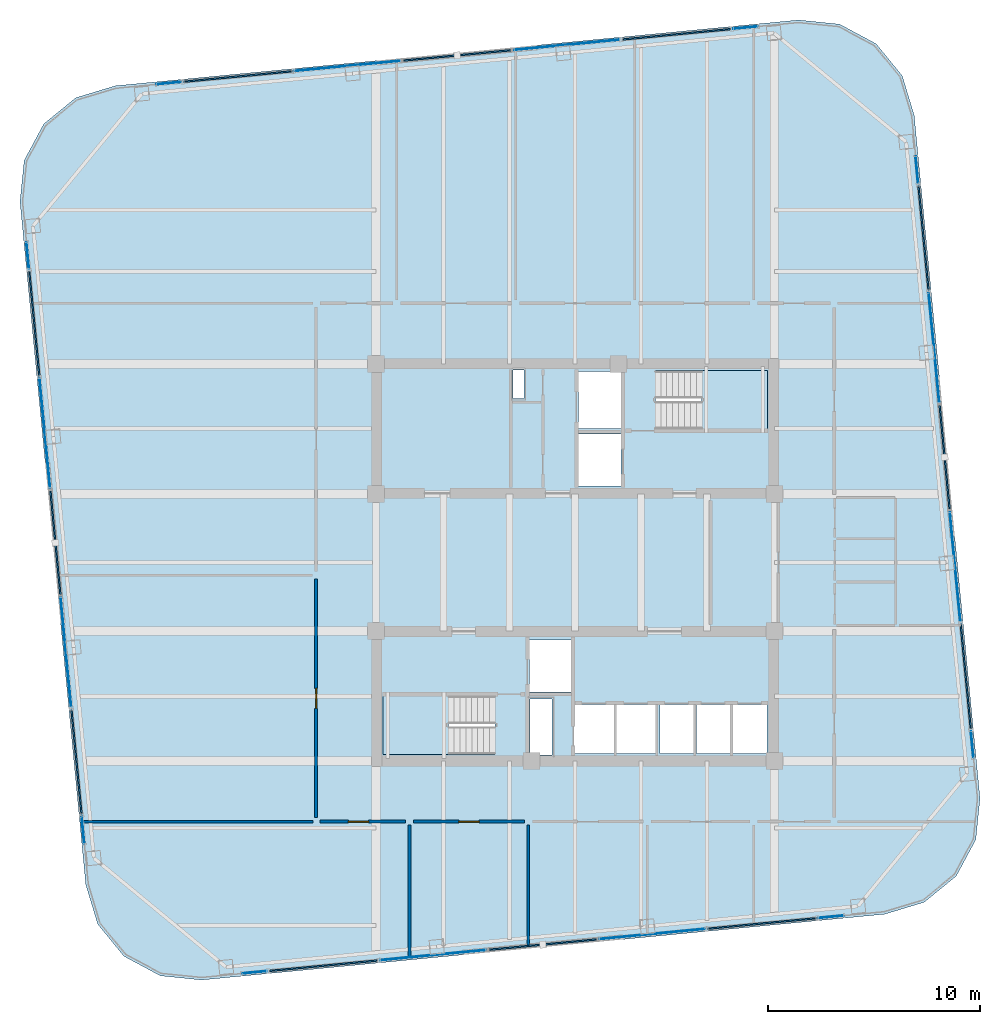
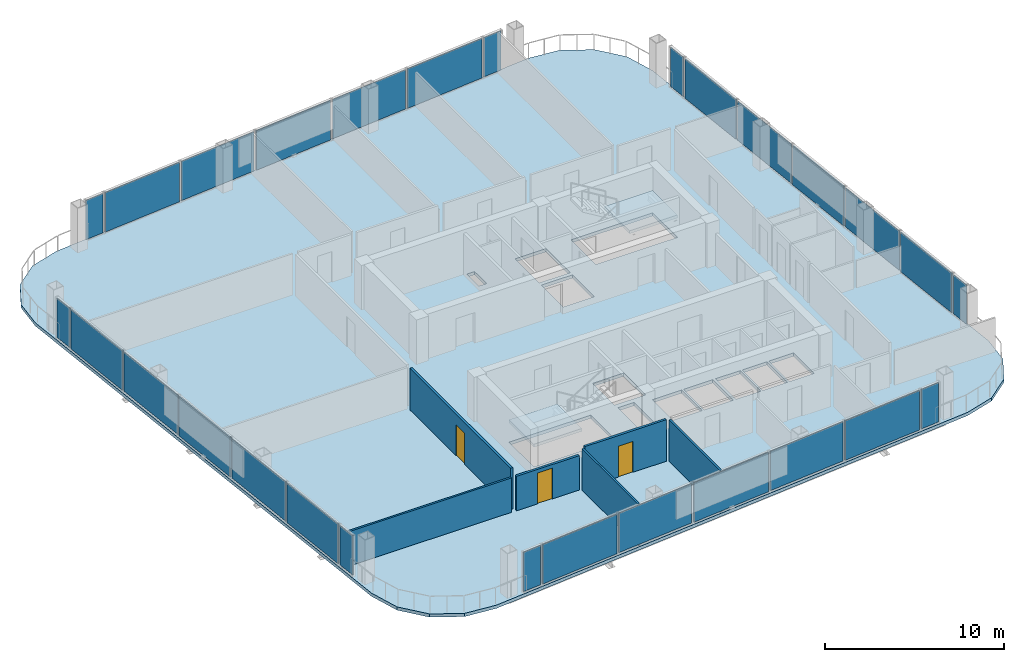
# One storey, part 16 of 22: 28 plates, 6 walls, 3 doors, 3 slabs, 3 openings, 30 elements without a shape of their own.
"""IFC4 building model written with IfcOpenShell, lengths in metres."""

from ifc_helpers import new_model, si_unit, direction, frame, frame_2d, origin, origin_2d, place, context, subcontext, project, spatial, polyline, rectangle, outline, extrude, material, layer, layer_set, type_object, element, fill, aggregate, save


model = new_model("IFC4")

# Units and contexts
model_context = context("Model", 3, precision=1e-05, world=origin(), true_north=direction((0.0, 1.0)))
body_context = subcontext(model_context, "Body", "Model", "MODEL_VIEW")
ifc_project = project(units=[si_unit("LENGTHUNIT", "METRE"), si_unit("AREAUNIT", "SQUARE_METRE"), si_unit("VOLUMEUNIT", "CUBIC_METRE"), si_unit("PLANEANGLEUNIT", "RADIAN"), si_unit("MASSUNIT", "GRAM", prefix="KILO")], contexts=[model_context])

# Site, building, storey
site_placement = place(None, origin())
site = spatial("IfcSite", under=ifc_project, at=site_placement, CompositionType="ELEMENT")
building_placement = place(site_placement, origin())
building = spatial("IfcBuilding", under=site, at=building_placement, Name="Qhalaya Broadcast Tower", CompositionType="ELEMENT")
storey_placement = place(building_placement, frame((0.0, 0.0, 165.300048828125)))
storey = spatial("IfcBuildingStorey", under=building, at=storey_placement, Name="L48", CompositionType="ELEMENT", Elevation=165.300048828125)

# Curtain wall, plate
ifc_material_1 = material(Name="Fired Architectural Terracotta", Category="masonry")
ifc_layer_1 = layer(ifc_material_1, 0.219970703125, Name="Fired Architectural Terracotta")
ifc_layer_set_1 = layer_set([ifc_layer_1], Name="Fired Architectural Terracotta")
curtain_wall_type_1 = type_object("IfcCurtainWallType", Name="Block-Cap Unitised Terracotta Spandrel Wall CW-07", PredefinedType="NOTDEFINED", material=ifc_layer_set_1)
curtain_wall_1_placement = place(storey_placement, origin())
curtain_wall_1 = element("IfcCurtainWall", 1, at=curtain_wall_1_placement, inside=storey, type_object=curtain_wall_type_1, Name="L48 Unitised Curtain Wall L48-CW-S2", PredefinedType="NOTDEFINED")
ifc_layer_2 = layer(ifc_material_1, 0.080078125, Name="Fired Architectural Terracotta")
ifc_layer_set_2 = layer_set([ifc_layer_2], Name="Fired Architectural Terracotta")
plate_type_1 = type_object("IfcPlateType", Name="Insulated Terracotta Spandrel Panel TSP-07", PredefinedType="CURTAIN_PANEL", material=ifc_layer_set_2)
plate_1_placement = place(storey_placement, frame((-11.84375, -18.386962890625, 0.0751953125), z_axis=(0.0, 0.0, 1.0), x_axis=(0.995395267059, 0.095855424032, 0.0)))
plate_1 = element("IfcPlate", 2, at=plate_1_placement, type_object=plate_type_1, Name="CW-07 panel 1.1", PredefinedType="CURTAIN_PANEL", context=body_context, shape_type="SweptSolid", body=[
    extrude(rectangle(XDim=5.0859375, YDim=0.080078125, at=origin_2d()), origin(), (0.0, 0.0, 1.0), 2.679931640625),
])
aggregate(curtain_wall_1, [plate_1])

curtain_wall_2_placement = place(storey_placement, origin())
curtain_wall_2 = element("IfcCurtainWall", 3, at=curtain_wall_2_placement, inside=storey, type_object=curtain_wall_type_1, Name="L48 Unitised Curtain Wall L48-CW-S4", PredefinedType="NOTDEFINED")
plate_2_placement = place(storey_placement, frame((-1.5244140625, -17.393310546875, 0.0751953125), z_axis=(0.0, 0.0, 1.0), x_axis=(0.995397089148, 0.095836500956, 0.0)))
plate_2 = element("IfcPlate", 4, at=plate_2_placement, type_object=plate_type_1, Name="CW-07 panel 1.1", PredefinedType="CURTAIN_PANEL", context=body_context, shape_type="SweptSolid", body=[
    extrude(rectangle(XDim=5.0859375, YDim=0.080078125, at=origin_2d()), origin(), (0.0, 0.0, 1.0), 2.679931640625),
])
aggregate(curtain_wall_2, [plate_2])

curtain_wall_3_placement = place(storey_placement, origin())
curtain_wall_3 = element("IfcCurtainWall", 5, at=curtain_wall_3_placement, inside=storey, type_object=curtain_wall_type_1, Name="L48 Unitised Curtain Wall L48-CW-S6", PredefinedType="NOTDEFINED")
plate_3_placement = place(storey_placement, frame((8.794921875, -16.399658203125, 0.0751953125), z_axis=(0.0, 0.0, 1.0), x_axis=(0.995395267059, 0.095855424032, 0.0)))
plate_3 = element("IfcPlate", 6, at=plate_3_placement, type_object=plate_type_1, Name="CW-07 panel 1.1", PredefinedType="CURTAIN_PANEL", context=body_context, shape_type="SweptSolid", body=[
    extrude(rectangle(XDim=5.0859375, YDim=0.080078125, at=origin_2d()), origin(), (0.0, 0.0, 1.0), 2.679931640625),
])
aggregate(curtain_wall_3, [plate_3])

curtain_wall_4_placement = place(storey_placement, origin())
curtain_wall_4 = element("IfcCurtainWall", 7, at=curtain_wall_4_placement, inside=storey, type_object=curtain_wall_type_1, Name="L48 Unitised Curtain Wall L48-CW-E2", PredefinedType="NOTDEFINED")
plate_4_placement = place(storey_placement, frame((18.38671875, -4.763671875, 0.0751953125), z_axis=(0.0, 0.0, 1.0), x_axis=(-0.09584506238, 0.99539626482, 0.0)))
plate_4 = element("IfcPlate", 8, at=plate_4_placement, type_object=plate_type_1, Name="CW-07 panel 1.1", PredefinedType="CURTAIN_PANEL", context=body_context, shape_type="SweptSolid", body=[
    extrude(rectangle(XDim=4.906005859375, YDim=0.080078125, at=origin_2d()), origin(), (0.0, 0.0, 1.0), 2.679931640625),
])
aggregate(curtain_wall_4, [plate_4])

curtain_wall_5_placement = place(storey_placement, origin())
curtain_wall_5 = element("IfcCurtainWall", 9, at=curtain_wall_5_placement, inside=storey, type_object=curtain_wall_type_1, Name="L48 Unitised Curtain Wall L48-CW-E4", PredefinedType="NOTDEFINED")
plate_5_placement = place(storey_placement, frame((17.393310546875, 5.5556640625, 0.0751953125), z_axis=(0.0, 0.0, 1.0), x_axis=(-0.095846949325, 0.995396083127, 0.0)))
plate_5 = element("IfcPlate", 10, at=plate_5_placement, type_object=plate_type_1, Name="CW-07 panel 1.1", PredefinedType="CURTAIN_PANEL", context=body_context, shape_type="SweptSolid", body=[
    extrude(rectangle(XDim=4.906005859375, YDim=0.080078125, at=origin_2d()), origin(), (0.0, 0.0, 1.0), 2.679931640625),
])
aggregate(curtain_wall_5, [plate_5])

curtain_wall_6_placement = place(storey_placement, origin())
curtain_wall_6 = element("IfcCurtainWall", 11, at=curtain_wall_6_placement, inside=storey, type_object=curtain_wall_type_1, Name="L48 Unitised Curtain Wall L48-CW-E6", PredefinedType="NOTDEFINED")
plate_6_placement = place(storey_placement, frame((16.399658203125, 15.875, 0.0751953125), z_axis=(0.0, 0.0, 1.0), x_axis=(-0.095846949325, 0.995396083127, 0.0)))
plate_6 = element("IfcPlate", 12, at=plate_6_placement, type_object=plate_type_1, Name="CW-07 panel 1.1", PredefinedType="CURTAIN_PANEL", context=body_context, shape_type="SweptSolid", body=[
    extrude(rectangle(XDim=4.906005859375, YDim=0.080078125, at=origin_2d()), origin(), (0.0, 0.0, 1.0), 2.679931640625),
])
aggregate(curtain_wall_6, [plate_6])

curtain_wall_7_placement = place(storey_placement, origin())
curtain_wall_7 = element("IfcCurtainWall", 13, at=curtain_wall_7_placement, inside=storey, type_object=curtain_wall_type_1, Name="L48 Unitised Curtain Wall L48-CW-N2", PredefinedType="NOTDEFINED")
plate_7_placement = place(storey_placement, frame((4.763671875, 25.466796875, 0.0751953125), z_axis=(0.0, 0.0, 1.0), x_axis=(-0.995395267059, -0.095855424032, 0.0)))
plate_7 = element("IfcPlate", 14, at=plate_7_placement, type_object=plate_type_1, Name="CW-07 panel 1.1", PredefinedType="CURTAIN_PANEL", context=body_context, shape_type="SweptSolid", body=[
    extrude(rectangle(XDim=5.0859375, YDim=0.080078125, at=origin_2d()), origin(), (0.0, 0.0, 1.0), 2.679931640625),
])
aggregate(curtain_wall_7, [plate_7])

curtain_wall_8_placement = place(storey_placement, origin())
curtain_wall_8 = element("IfcCurtainWall", 15, at=curtain_wall_8_placement, inside=storey, type_object=curtain_wall_type_1, Name="L48 Unitised Curtain Wall L48-CW-N4", PredefinedType="NOTDEFINED")
plate_8_placement = place(storey_placement, frame((-5.5556640625, 24.47314453125, 0.0751953125), z_axis=(0.0, 0.0, 1.0), x_axis=(-0.995397089148, -0.095836500956, 0.0)))
plate_8 = element("IfcPlate", 16, at=plate_8_placement, type_object=plate_type_1, Name="CW-07 panel 1.1", PredefinedType="CURTAIN_PANEL", context=body_context, shape_type="SweptSolid", body=[
    extrude(rectangle(XDim=5.0859375, YDim=0.080078125, at=origin_2d()), origin(), (0.0, 0.0, 1.0), 2.679931640625),
])
aggregate(curtain_wall_8, [plate_8])

curtain_wall_9_placement = place(storey_placement, origin())
curtain_wall_9 = element("IfcCurtainWall", 17, at=curtain_wall_9_placement, inside=storey, type_object=curtain_wall_type_1, Name="L48 Unitised Curtain Wall L48-CW-N6", PredefinedType="NOTDEFINED")
plate_9_placement = place(storey_placement, frame((-15.875, 23.4794921875, 0.0751953125), z_axis=(0.0, 0.0, 1.0), x_axis=(-0.995395267059, -0.095855424032, 0.0)))
plate_9 = element("IfcPlate", 18, at=plate_9_placement, type_object=plate_type_1, Name="CW-07 panel 1.1", PredefinedType="CURTAIN_PANEL", context=body_context, shape_type="SweptSolid", body=[
    extrude(rectangle(XDim=5.0859375, YDim=0.080078125, at=origin_2d()), origin(), (0.0, 0.0, 1.0), 2.679931640625),
])
aggregate(curtain_wall_9, [plate_9])

curtain_wall_10_placement = place(storey_placement, origin())
curtain_wall_10 = element("IfcCurtainWall", 19, at=curtain_wall_10_placement, inside=storey, type_object=curtain_wall_type_1, Name="L48 Unitised Curtain Wall L48-CW-W2", PredefinedType="NOTDEFINED")
plate_10_placement = place(storey_placement, frame((-25.466796875, 11.843505859375, 0.0751953125), z_axis=(0.0, 0.0, 1.0), x_axis=(0.09584506238, -0.99539626482, 0.0)))
plate_10 = element("IfcPlate", 20, at=plate_10_placement, type_object=plate_type_1, Name="CW-07 panel 1.1", PredefinedType="CURTAIN_PANEL", context=body_context, shape_type="SweptSolid", body=[
    extrude(rectangle(XDim=4.906005859375, YDim=0.080078125, at=origin_2d()), origin(), (0.0, 0.0, 1.0), 2.679931640625),
])
aggregate(curtain_wall_10, [plate_10])

curtain_wall_11_placement = place(storey_placement, origin())
curtain_wall_11 = element("IfcCurtainWall", 21, at=curtain_wall_11_placement, inside=storey, type_object=curtain_wall_type_1, Name="L48 Unitised Curtain Wall L48-CW-W4", PredefinedType="NOTDEFINED")
plate_11_placement = place(storey_placement, frame((-24.47314453125, 1.5244140625, 0.0751953125), z_axis=(0.0, 0.0, 1.0), x_axis=(0.095846949325, -0.995396083127, 0.0)))
plate_11 = element("IfcPlate", 22, at=plate_11_placement, type_object=plate_type_1, Name="CW-07 panel 1.1", PredefinedType="CURTAIN_PANEL", context=body_context, shape_type="SweptSolid", body=[
    extrude(rectangle(XDim=4.906005859375, YDim=0.080078125, at=origin_2d()), origin(), (0.0, 0.0, 1.0), 2.679931640625),
])
aggregate(curtain_wall_11, [plate_11])

curtain_wall_12_placement = place(storey_placement, origin())
curtain_wall_12 = element("IfcCurtainWall", 23, at=curtain_wall_12_placement, inside=storey, type_object=curtain_wall_type_1, Name="L48 Unitised Curtain Wall L48-CW-W6", PredefinedType="NOTDEFINED")
plate_12_placement = place(storey_placement, frame((-23.4794921875, -8.794921875, 0.0751953125), z_axis=(0.0, 0.0, 1.0), x_axis=(0.095846949325, -0.995396083127, 0.0)))
plate_12 = element("IfcPlate", 24, at=plate_12_placement, type_object=plate_type_1, Name="CW-07 panel 1.1", PredefinedType="CURTAIN_PANEL", context=body_context, shape_type="SweptSolid", body=[
    extrude(rectangle(XDim=4.906005859375, YDim=0.080078125, at=origin_2d()), origin(), (0.0, 0.0, 1.0), 2.679931640625),
])
aggregate(curtain_wall_12, [plate_12])

ifc_material_2 = material(Name="Solar-Control Low-E Triple Glazing", Category="glass")
ifc_layer_3 = layer(ifc_material_2, 0.219970703125, Name="Solar-Control Low-E Triple Glazing")
ifc_layer_set_3 = layer_set([ifc_layer_3], Name="Solar-Control Low-E Triple Glazing")
curtain_wall_type_2 = type_object("IfcCurtainWallType", Name="Even-Block 4-Storey Double-Module Curtain Wall CW-03", PredefinedType="NOTDEFINED", material=ifc_layer_set_3)
curtain_wall_13_placement = place(storey_placement, origin())
curtain_wall_13 = element("IfcCurtainWall", 25, at=curtain_wall_13_placement, inside=storey, type_object=curtain_wall_type_2, Name="L48 Unitised Curtain Wall L48-CW-S1", PredefinedType="NOTDEFINED")
ifc_layer_4 = layer(ifc_material_2, 0.035888671875, Name="Solar-Control Low-E Triple Glazing")
ifc_layer_set_4 = layer_set([ifc_layer_4], Name="Solar-Control Low-E Triple Glazing")
plate_type_2 = type_object("IfcPlateType", Name="Solar-Control Curtain Glazing Panel GLP-03", PredefinedType="CURTAIN_PANEL", material=ifc_layer_set_4)
plate_13_placement = place(storey_placement, frame((-15.10400390625, -18.70068359375, 0.0751953125), z_axis=(0.0, 0.0, 1.0), x_axis=(0.99539857312, 0.095821086563, 0.0)))
plate_13 = element("IfcPlate", 26, at=plate_13_placement, type_object=plate_type_2, Name="CW-03 panel 1.1", PredefinedType="CURTAIN_PANEL", context=body_context, shape_type="SweptSolid", body=[
    extrude(rectangle(XDim=1.1650390625, YDim=0.035888671875, at=origin_2d()), origin(), (0.0, 0.0, 1.0), 2.679931640625),
])
aggregate(curtain_wall_13, [plate_13])

curtain_wall_14_placement = place(storey_placement, origin())
curtain_wall_14 = element("IfcCurtainWall", 27, at=curtain_wall_14_placement, inside=storey, type_object=curtain_wall_type_2, Name="L48 Unitised Curtain Wall L48-CW-S3", PredefinedType="NOTDEFINED")
plate_14_placement = place(storey_placement, frame((-6.68408203125, -17.889892578125, 0.0751953125), z_axis=(0.0, 0.0, 1.0), x_axis=(0.995395950784, 0.095848323733, 0.0)))
plate_14 = element("IfcPlate", 28, at=plate_14_placement, type_object=plate_type_2, Name="CW-03 panel 1.1", PredefinedType="CURTAIN_PANEL", context=body_context, shape_type="SweptSolid", body=[
    extrude(rectangle(XDim=4.98095703125, YDim=0.035888671875, at=origin_2d()), origin(), (0.0, 0.0, 1.0), 2.679931640625),
])
aggregate(curtain_wall_14, [plate_14])

curtain_wall_15_placement = place(storey_placement, origin())
curtain_wall_15 = element("IfcCurtainWall", 29, at=curtain_wall_15_placement, inside=storey, type_object=curtain_wall_type_2, Name="L48 Unitised Curtain Wall L48-CW-S5", PredefinedType="NOTDEFINED")
plate_15_placement = place(storey_placement, frame((3.63525390625, -16.896484375, 0.0751953125), z_axis=(0.0, 0.0, 1.0), x_axis=(0.995395950784, 0.095848323733, 0.0)))
plate_15 = element("IfcPlate", 30, at=plate_15_placement, type_object=plate_type_2, Name="CW-03 panel 1.1", PredefinedType="CURTAIN_PANEL", context=body_context, shape_type="SweptSolid", body=[
    extrude(rectangle(XDim=4.98095703125, YDim=0.035888671875, at=origin_2d()), origin(), (0.0, 0.0, 1.0), 2.679931640625),
])
aggregate(curtain_wall_15, [plate_15])

curtain_wall_16_placement = place(storey_placement, origin())
curtain_wall_16 = element("IfcCurtainWall", 31, at=curtain_wall_16_placement, inside=storey, type_object=curtain_wall_type_2, Name="L48 Unitised Curtain Wall L48-CW-S7", PredefinedType="NOTDEFINED")
plate_16_placement = place(storey_placement, frame((12.055419921875, -16.085693359375, 0.0751953125), z_axis=(0.0, 0.0, 1.0), x_axis=(0.99539857312, 0.095821086563, 0.0)))
plate_16 = element("IfcPlate", 32, at=plate_16_placement, type_object=plate_type_2, Name="CW-03 panel 1.1", PredefinedType="CURTAIN_PANEL", context=body_context, shape_type="SweptSolid", body=[
    extrude(rectangle(XDim=1.1650390625, YDim=0.035888671875, at=origin_2d()), origin(), (0.0, 0.0, 1.0), 2.679931640625),
])
aggregate(curtain_wall_16, [plate_16])

curtain_wall_17_placement = place(storey_placement, origin())
curtain_wall_17 = element("IfcCurtainWall", 33, at=curtain_wall_17_placement, inside=storey, type_object=curtain_wall_type_2, Name="L48 Unitised Curtain Wall L48-CW-E1", PredefinedType="NOTDEFINED")
plate_17_placement = place(storey_placement, frame((18.696533203125, -7.979248046875, 0.0751953125), z_axis=(0.0, 0.0, 1.0), x_axis=(-0.095873796301, 0.99539349766, 0.0)))
plate_17 = element("IfcPlate", 34, at=plate_17_placement, type_object=plate_type_2, Name="CW-03 panel 1.1", PredefinedType="CURTAIN_PANEL", context=body_context, shape_type="SweptSolid", body=[
    extrude(rectangle(XDim=1.2548828125, YDim=0.035888671875, at=origin_2d()), origin(), (0.0, 0.0, 1.0), 2.679931640625),
])
aggregate(curtain_wall_17, [plate_17])

curtain_wall_18_placement = place(storey_placement, origin())
curtain_wall_18 = element("IfcCurtainWall", 35, at=curtain_wall_18_placement, inside=storey, type_object=curtain_wall_type_2, Name="L48 Unitised Curtain Wall L48-CW-E3", PredefinedType="NOTDEFINED")
plate_18_placement = place(storey_placement, frame((17.889892578125, 0.39599609375, 0.0751953125), z_axis=(0.0, 0.0, 1.0), x_axis=(-0.095839772631, 0.995396774147, 0.0)))
plate_18 = element("IfcPlate", 36, at=plate_18_placement, type_object=plate_type_2, Name="CW-03 panel 1.1", PredefinedType="CURTAIN_PANEL", context=body_context, shape_type="SweptSolid", body=[
    extrude(rectangle(XDim=5.160888671875, YDim=0.035888671875, at=origin_2d()), origin(), (0.0, 0.0, 1.0), 2.679931640625),
])
aggregate(curtain_wall_18, [plate_18])

curtain_wall_19_placement = place(storey_placement, origin())
curtain_wall_19 = element("IfcCurtainWall", 37, at=curtain_wall_19_placement, inside=storey, type_object=curtain_wall_type_2, Name="L48 Unitised Curtain Wall L48-CW-E5", PredefinedType="NOTDEFINED")
plate_19_placement = place(storey_placement, frame((16.896484375, 10.71533203125, 0.0751953125), z_axis=(0.0, 0.0, 1.0), x_axis=(-0.095837976406, 0.995396947091, 0.0)))
plate_19 = element("IfcPlate", 38, at=plate_19_placement, type_object=plate_type_2, Name="CW-03 panel 1.1", PredefinedType="CURTAIN_PANEL", context=body_context, shape_type="SweptSolid", body=[
    extrude(rectangle(XDim=5.1611328125, YDim=0.035888671875, at=origin_2d()), origin(), (0.0, 0.0, 1.0), 2.679931640625),
])
aggregate(curtain_wall_19, [plate_19])

curtain_wall_20_placement = place(storey_placement, origin())
curtain_wall_20 = element("IfcCurtainWall", 39, at=curtain_wall_20_placement, inside=storey, type_object=curtain_wall_type_2, Name="L48 Unitised Curtain Wall L48-CW-E7", PredefinedType="NOTDEFINED")
plate_20_placement = place(storey_placement, frame((16.08984375, 19.090576171875, 0.0751953125), z_axis=(0.0, 0.0, 1.0), x_axis=(-0.095873796301, 0.99539349766, 0.0)))
plate_20 = element("IfcPlate", 40, at=plate_20_placement, type_object=plate_type_2, Name="CW-03 panel 1.1", PredefinedType="CURTAIN_PANEL", context=body_context, shape_type="SweptSolid", body=[
    extrude(rectangle(XDim=1.2548828125, YDim=0.035888671875, at=origin_2d()), origin(), (0.0, 0.0, 1.0), 2.679931640625),
])
aggregate(curtain_wall_20, [plate_20])

curtain_wall_21_placement = place(storey_placement, origin())
curtain_wall_21 = element("IfcCurtainWall", 41, at=curtain_wall_21_placement, inside=storey, type_object=curtain_wall_type_2, Name="L48 Unitised Curtain Wall L48-CW-N1", PredefinedType="NOTDEFINED")
plate_21_placement = place(storey_placement, frame((8.024169921875, 25.78076171875, 0.0751953125), z_axis=(0.0, 0.0, 1.0), x_axis=(-0.99539857312, -0.095821086563, 0.0)))
plate_21 = element("IfcPlate", 42, at=plate_21_placement, type_object=plate_type_2, Name="CW-03 panel 1.1", PredefinedType="CURTAIN_PANEL", context=body_context, shape_type="SweptSolid", body=[
    extrude(rectangle(XDim=1.1650390625, YDim=0.035888671875, at=origin_2d()), origin(), (0.0, 0.0, 1.0), 2.679931640625),
])
aggregate(curtain_wall_21, [plate_21])

curtain_wall_22_placement = place(storey_placement, origin())
curtain_wall_22 = element("IfcCurtainWall", 43, at=curtain_wall_22_placement, inside=storey, type_object=curtain_wall_type_2, Name="L48 Unitised Curtain Wall L48-CW-N3", PredefinedType="NOTDEFINED")
plate_22_placement = place(storey_placement, frame((-0.39599609375, 24.969970703125, 0.0751953125), z_axis=(0.0, 0.0, 1.0), x_axis=(-0.995395950784, -0.095848323733, 0.0)))
plate_22 = element("IfcPlate", 44, at=plate_22_placement, type_object=plate_type_2, Name="CW-03 panel 1.1", PredefinedType="CURTAIN_PANEL", context=body_context, shape_type="SweptSolid", body=[
    extrude(rectangle(XDim=4.98095703125, YDim=0.035888671875, at=origin_2d()), origin(), (0.0, 0.0, 1.0), 2.679931640625),
])
aggregate(curtain_wall_22, [plate_22])

curtain_wall_23_placement = place(storey_placement, origin())
curtain_wall_23 = element("IfcCurtainWall", 45, at=curtain_wall_23_placement, inside=storey, type_object=curtain_wall_type_2, Name="L48 Unitised Curtain Wall L48-CW-N5", PredefinedType="NOTDEFINED")
plate_23_placement = place(storey_placement, frame((-10.71533203125, 23.976318359375, 0.0751953125), z_axis=(0.0, 0.0, 1.0), x_axis=(-0.995395950784, -0.095848323733, 0.0)))
plate_23 = element("IfcPlate", 46, at=plate_23_placement, type_object=plate_type_2, Name="CW-03 panel 1.1", PredefinedType="CURTAIN_PANEL", context=body_context, shape_type="SweptSolid", body=[
    extrude(rectangle(XDim=4.98095703125, YDim=0.035888671875, at=origin_2d()), origin(), (0.0, 0.0, 1.0), 2.679931640625),
])
aggregate(curtain_wall_23, [plate_23])

curtain_wall_24_placement = place(storey_placement, origin())
curtain_wall_24 = element("IfcCurtainWall", 47, at=curtain_wall_24_placement, inside=storey, type_object=curtain_wall_type_2, Name="L48 Unitised Curtain Wall L48-CW-N7", PredefinedType="NOTDEFINED")
plate_24_placement = place(storey_placement, frame((-19.13525390625, 23.16552734375, 0.0751953125), z_axis=(0.0, 0.0, 1.0), x_axis=(-0.99539857312, -0.095821086563, 0.0)))
plate_24 = element("IfcPlate", 48, at=plate_24_placement, type_object=plate_type_2, Name="CW-03 panel 1.1", PredefinedType="CURTAIN_PANEL", context=body_context, shape_type="SweptSolid", body=[
    extrude(rectangle(XDim=1.1650390625, YDim=0.035888671875, at=origin_2d()), origin(), (0.0, 0.0, 1.0), 2.679931640625),
])
aggregate(curtain_wall_24, [plate_24])

curtain_wall_25_placement = place(storey_placement, origin())
curtain_wall_25 = element("IfcCurtainWall", 49, at=curtain_wall_25_placement, inside=storey, type_object=curtain_wall_type_2, Name="L48 Unitised Curtain Wall L48-CW-W1", PredefinedType="NOTDEFINED")
plate_25_placement = place(storey_placement, frame((-25.7763671875, 15.059326171875, 0.0751953125), z_axis=(0.0, 0.0, 1.0), x_axis=(0.095873796301, -0.99539349766, 0.0)))
plate_25 = element("IfcPlate", 50, at=plate_25_placement, type_object=plate_type_2, Name="CW-03 panel 1.1", PredefinedType="CURTAIN_PANEL", context=body_context, shape_type="SweptSolid", body=[
    extrude(rectangle(XDim=1.2548828125, YDim=0.035888671875, at=origin_2d()), origin(), (0.0, 0.0, 1.0), 2.679931640625),
])
aggregate(curtain_wall_25, [plate_25])

curtain_wall_26_placement = place(storey_placement, origin())
curtain_wall_26 = element("IfcCurtainWall", 51, at=curtain_wall_26_placement, inside=storey, type_object=curtain_wall_type_2, Name="L48 Unitised Curtain Wall L48-CW-W3", PredefinedType="NOTDEFINED")
plate_26_placement = place(storey_placement, frame((-24.969970703125, 6.683837890625, 0.0751953125), z_axis=(0.0, 0.0, 1.0), x_axis=(0.095839772631, -0.995396774147, 0.0)))
plate_26 = element("IfcPlate", 52, at=plate_26_placement, type_object=plate_type_2, Name="CW-03 panel 1.1", PredefinedType="CURTAIN_PANEL", context=body_context, shape_type="SweptSolid", body=[
    extrude(rectangle(XDim=5.160888671875, YDim=0.035888671875, at=origin_2d()), origin(), (0.0, 0.0, 1.0), 2.679931640625),
])
aggregate(curtain_wall_26, [plate_26])

curtain_wall_27_placement = place(storey_placement, origin())
curtain_wall_27 = element("IfcCurtainWall", 53, at=curtain_wall_27_placement, inside=storey, type_object=curtain_wall_type_2, Name="L48 Unitised Curtain Wall L48-CW-W5", PredefinedType="NOTDEFINED")
plate_27_placement = place(storey_placement, frame((-23.976318359375, -3.63525390625, 0.0751953125), z_axis=(0.0, 0.0, 1.0), x_axis=(0.095837976406, -0.995396947091, 0.0)))
plate_27 = element("IfcPlate", 54, at=plate_27_placement, type_object=plate_type_2, Name="CW-03 panel 1.1", PredefinedType="CURTAIN_PANEL", context=body_context, shape_type="SweptSolid", body=[
    extrude(rectangle(XDim=5.1611328125, YDim=0.035888671875, at=origin_2d()), origin(), (0.0, 0.0, 1.0), 2.679931640625),
])
aggregate(curtain_wall_27, [plate_27])

curtain_wall_28_placement = place(storey_placement, origin())
curtain_wall_28 = element("IfcCurtainWall", 55, at=curtain_wall_28_placement, inside=storey, type_object=curtain_wall_type_2, Name="L48 Unitised Curtain Wall L48-CW-W7", PredefinedType="NOTDEFINED")
plate_28_placement = place(storey_placement, frame((-23.169921875, -12.010498046875, 0.0751953125), z_axis=(0.0, 0.0, 1.0), x_axis=(0.095873796301, -0.99539349766, 0.0)))
plate_28 = element("IfcPlate", 56, at=plate_28_placement, type_object=plate_type_2, Name="CW-03 panel 1.1", PredefinedType="CURTAIN_PANEL", context=body_context, shape_type="SweptSolid", body=[
    extrude(rectangle(XDim=1.2548828125, YDim=0.035888671875, at=origin_2d()), origin(), (0.0, 0.0, 1.0), 2.679931640625),
])
aggregate(curtain_wall_28, [plate_28])

# Stair, slab
ifc_material_3 = material(Name="Concrete C40/50", Category="concrete")
stair_type = type_object("IfcStairType", Name="Protected Dogleg Core Stair 3150", PredefinedType="TWO_STRAIGHT_RUN_STAIR", material=ifc_material_3)
stair_1_placement = place(storey_placement, origin())
stair_1 = element("IfcStair", 57, at=stair_1_placement, inside=storey, type_object=stair_type, Name="L48 North Core Exit Stair ST-1", PredefinedType="TWO_STRAIGHT_RUN_STAIR")
ifc_layer_5 = layer(ifc_material_3, 0.199951171875, Name="Concrete C40/50")
ifc_layer_set_5 = layer_set([ifc_layer_5], Name="Concrete C40/50")
slab_type_1 = type_object("IfcSlabType", Name="Stair & Ramp Half-Landing Slab 200", PredefinedType="LANDING", material=ifc_layer_set_5)
slab_1_placement = place(storey_placement, frame((0.0, 0.0, 1.324951171875)))
slab_1 = element("IfcSlab", 58, at=slab_1_placement, type_object=slab_type_1, Name="ST-1 landing 1", PredefinedType="LANDING", context=body_context, shape_type="SweptSolid", body=[
    extrude(outline(polyline([(5.955078125, 6.8798828125), (9.050048828125, 6.8798828125), (9.050048828125, 9.639892578125), (5.955078125, 9.639892578125), (5.955078125, 6.8798828125)])), origin(), (0.0, 0.0, 1.0), 0.199951171875),
])
aggregate(stair_1, [slab_1])

stair_2_placement = place(storey_placement, origin())
stair_2 = element("IfcStair", 59, at=stair_2_placement, inside=storey, type_object=stair_type, Name="L48 South Core Exit Stair ST-2", PredefinedType="TWO_STRAIGHT_RUN_STAIR")
slab_2_placement = place(storey_placement, frame((0.0, 0.0, 1.324951171875)))
slab_2 = element("IfcSlab", 60, at=slab_2_placement, type_object=slab_type_1, Name="ST-2 landing 1", PredefinedType="LANDING", context=body_context, shape_type="SweptSolid", body=[
    extrude(outline(polyline([(-5.955078125, -5.679931640625), (-9.050048828125, -5.679931640625), (-9.050048828125, -8.43994140625), (-5.955078125, -8.43994140625), (-5.955078125, -5.679931640625)])), origin(), (0.0, 0.0, 1.0), 0.199951171875),
])
aggregate(stair_2, [slab_2])

# Slab
ifc_layer_6 = layer(ifc_material_3, 0.219970703125, Name="Concrete C40/50")
ifc_layer_set_6 = layer_set([ifc_layer_6], Name="Concrete C40/50")
slab_type_2 = type_object("IfcSlabType", Name="Tower Composite Floor Slab 220", PredefinedType="FLOOR", material=ifc_layer_set_6)
slab_3_placement = place(storey_placement, frame((0.0, 0.0, -0.219970703125)))
element("IfcSlab", 61, at=slab_3_placement, inside=storey, type_object=slab_type_2, Name="L48 Main Structural Floor Slab", PredefinedType="FLOOR", context=body_context, shape_type="SweptSolid", body=[
    extrude(outline(polyline([(14.562744140625, -15.964599609375), (16.430908203125, -15.402587890625), (17.941650390625, -14.168212890625), (18.864990234375, -12.44970703125), (19.060546875, -10.508544921875), (15.964599609375, 21.642822265625), (15.402587890625, 23.510986328125), (14.168212890625, 25.021728515625), (12.44970703125, 25.945068359375), (10.508544921875, 26.140380859375), (-21.642822265625, 23.044677734375), (-23.510986328125, 22.482421875), (-25.021728515625, 21.248046875), (-25.945068359375, 19.529541015625), (-26.140380859375, 17.58837890625), (-23.044677734375, -14.562744140625), (-22.482421875, -16.430908203125), (-21.248046875, -17.941650390625), (-19.529541015625, -18.864990234375), (-17.58837890625, -19.060546875), (14.562744140625, -15.964599609375)]), holes=[polyline([(3.784912109375, 9.639892578125), (9.050048828125, 9.639892578125), (9.050048828125, 6.8798828125), (3.784912109375, 6.8798828125), (3.784912109375, 9.639892578125)]), polyline([(-3.784912109375, -8.43994140625), (-9.050048828125, -8.43994140625), (-9.050048828125, -5.679931640625), (-3.784912109375, -5.679931640625), (-3.784912109375, -8.43994140625)]), polyline([(0.14990234375, 6.64990234375), (2.14990234375, 6.64990234375), (2.14990234375, 4.199951171875), (0.14990234375, 4.199951171875), (0.14990234375, 6.64990234375)]), polyline([(0.14990234375, 9.60009765625), (2.14990234375, 9.60009765625), (2.14990234375, 6.89990234375), (0.14990234375, 6.89990234375), (0.14990234375, 9.60009765625)]), polyline([(-2.14990234375, -3.050048828125), (-0.14990234375, -3.050048828125), (-0.14990234375, -5.5), (-2.14990234375, -5.5), (-2.14990234375, -3.050048828125)]), polyline([(-0.050048828125, -6.10009765625), (1.830078125, -6.10009765625), (1.830078125, -8.39990234375), (-0.050048828125, -8.39990234375), (-0.050048828125, -6.10009765625)]), polyline([(1.949951171875, -6.10009765625), (3.830078125, -6.10009765625), (3.830078125, -8.39990234375), (1.949951171875, -8.39990234375), (1.949951171875, -6.10009765625)]), polyline([(4.0, -6.10009765625), (5.60009765625, -6.10009765625), (5.60009765625, -8.39990234375), (4.0, -8.39990234375), (4.0, -6.10009765625)]), polyline([(5.719970703125, -6.10009765625), (7.320068359375, -6.10009765625), (7.320068359375, -8.39990234375), (5.719970703125, -8.39990234375), (5.719970703125, -6.10009765625)]), polyline([(7.43994140625, -6.10009765625), (9.0400390625, -6.10009765625), (9.0400390625, -8.39990234375), (7.43994140625, -8.39990234375), (7.43994140625, -6.10009765625)]), polyline([(-2.919921875, 9.659912109375), (-2.419921875, 9.659912109375), (-2.419921875, 8.320068359375), (-2.919921875, 8.320068359375), (-2.919921875, 9.659912109375)]), polyline([(-2.1201171875, -5.820068359375), (-1.080078125, -5.820068359375), (-1.080078125, -8.4599609375), (-2.1201171875, -8.4599609375), (-2.1201171875, -5.820068359375)])]), origin(), (0.0, 0.0, 1.0), 0.219970703125),
])

# Wall, opening, door
ifc_material_4 = material(Name="Gypsum Acoustic Partition")
ifc_layer_7 = layer(ifc_material_4, 0.14990234375, Name="Gypsum Acoustic Partition")
ifc_layer_set_7 = layer_set([ifc_layer_7], Name="Gypsum Acoustic Partition")
wall_type_1 = type_object("IfcWallType", Name="Corridor & Tenancy Acoustic Partition 150", PredefinedType="PARTITIONING", material=ifc_layer_set_7)
wall_1_placement = place(storey_placement, frame((-12.02001953125, -11.60009765625, 0.0), z_axis=(0.0, 0.0, 1.0), x_axis=(1.0, 0.0, 0.0)))
wall_1 = element("IfcWall", 62, at=wall_1_placement, inside=storey, type_object=wall_type_1, Name="L48 Partition Wall W-COR-06", PredefinedType="PARTITIONING", context=body_context, shape_type="SweptSolid", body=[
    extrude(rectangle(XDim=4.0400390625, YDim=0.14990234375, at=frame_2d((2.02001953125, 0.0))), origin(), (0.0, 0.0, 1.0), 2.346923828125),
])
opening_1_placement = place(wall_1_placement, frame((1.344970703125, 0.0, 0.0)))
opening_1 = element("IfcOpeningElement", 63, at=opening_1_placement, cuts=wall_1, Name="Opening D10", PredefinedType="OPENING", context=body_context, shape_type="SweptSolid", body=[
    extrude(rectangle(XDim=0.949951171875, YDim=2.10009765625, at=frame_2d((0.47509765625, 1.050048828125))), frame((0.0, 0.0869140625, 0.0), z_axis=(0.0, -1.0, 0.0), x_axis=(1.0, 0.0, 0.0)), (0.0, 0.0, 1.0), 0.173828125),
])
ifc_material_5 = material(Name="Timber Veneer Acoustic Door", Category="wood")
door_type = type_object("IfcDoorType", Name="Cellular Office & Edit Booth Door D10", OperationType="NOTDEFINED", PredefinedType="DOOR", material=ifc_material_5)
door_1_placement = place(opening_1_placement, origin())
door_1 = element("IfcDoor", 64, at=door_1_placement, inside=storey, type_object=door_type, Name="L48 Door D-RM06", OperationType="SINGLE_SWING_LEFT", OverallHeight=2.10009765625, OverallWidth=0.949951171875, PredefinedType="DOOR", context=body_context, shape_type="SweptSolid", body=[
    extrude(rectangle(XDim=0.949951171875, YDim=2.10009765625, at=frame_2d((0.47509765625, 1.050048828125))), frame((0.0, 0.02490234375, 0.0), z_axis=(0.0, -1.0, 0.0), x_axis=(1.0, 0.0, 0.0)), (0.0, 0.0, 1.0), 0.050048828125),
])
fill(opening_1, door_1)

wall_2_placement = place(storey_placement, frame((-7.6201171875, -11.60009765625, 0.0), z_axis=(0.0, 0.0, 1.0), x_axis=(1.0, 0.0, 0.0)))
wall_2 = element("IfcWall", 65, at=wall_2_placement, inside=storey, type_object=wall_type_1, Name="L48 Partition Wall W-COR-07", PredefinedType="PARTITIONING", context=body_context, shape_type="SweptSolid", body=[
    extrude(rectangle(XDim=5.240234375, YDim=0.14990234375, at=frame_2d((2.6201171875, 0.0))), origin(), (0.0, 0.0, 1.0), 2.829833984375),
])
opening_2_placement = place(wall_2_placement, frame((2.14501953125, 0.0, 0.0)))
opening_2 = element("IfcOpeningElement", 66, at=opening_2_placement, cuts=wall_2, Name="Opening D10", PredefinedType="OPENING", context=body_context, shape_type="SweptSolid", body=[
    extrude(rectangle(XDim=0.949951171875, YDim=2.10009765625, at=frame_2d((0.47509765625, 1.050048828125))), frame((0.0, 0.0869140625, 0.0), z_axis=(0.0, -1.0, 0.0), x_axis=(1.0, 0.0, 0.0)), (0.0, 0.0, 1.0), 0.173828125),
])
door_2_placement = place(opening_2_placement, origin())
door_2 = element("IfcDoor", 67, at=door_2_placement, inside=storey, type_object=door_type, Name="L48 Door D-RM07", OperationType="SINGLE_SWING_RIGHT", OverallHeight=2.10009765625, OverallWidth=0.949951171875, PredefinedType="DOOR", context=body_context, shape_type="SweptSolid", body=[
    extrude(rectangle(XDim=0.949951171875, YDim=2.10009765625, at=frame_2d((0.47509765625, 1.050048828125))), frame((0.0, 0.02490234375, 0.0), z_axis=(0.0, -1.0, 0.0), x_axis=(1.0, 0.0, 0.0)), (0.0, 0.0, 1.0), 0.050048828125),
])
fill(opening_2, door_2)

wall_3_placement = place(storey_placement, frame((-12.199951171875, -11.419921875, 0.0), z_axis=(0.0, 0.0, 1.0), x_axis=(0.0, 1.0, 0.0)))
wall_3 = element("IfcWall", 68, at=wall_3_placement, inside=storey, type_object=wall_type_1, Name="L48 Partition Wall W-COR-11", PredefinedType="PARTITIONING", context=body_context, shape_type="SweptSolid", body=[
    extrude(rectangle(XDim=11.239990234375, YDim=0.14990234375, at=frame_2d((5.6201171875, 0.0))), origin(), (0.0, 0.0, 1.0), 2.829833984375),
])
opening_3_placement = place(wall_3_placement, frame((5.14501953125, 0.0, 0.0)))
opening_3 = element("IfcOpeningElement", 69, at=opening_3_placement, cuts=wall_3, Name="Opening D10", PredefinedType="OPENING", context=body_context, shape_type="SweptSolid", body=[
    extrude(rectangle(XDim=0.949951171875, YDim=2.10009765625, at=frame_2d((0.47509765625, 1.050048828125))), frame((0.0, 0.0869140625, 0.0), z_axis=(0.0, -1.0, 0.0), x_axis=(1.0, 0.0, 0.0)), (0.0, 0.0, 1.0), 0.173828125),
])
door_3_placement = place(opening_3_placement, origin())
door_3 = element("IfcDoor", 70, at=door_3_placement, inside=storey, type_object=door_type, Name="L48 Door D-RM11", OperationType="SINGLE_SWING_RIGHT", OverallHeight=2.10009765625, OverallWidth=0.949951171875, PredefinedType="DOOR", context=body_context, shape_type="SweptSolid", body=[
    extrude(rectangle(XDim=0.949951171875, YDim=2.10009765625, at=frame_2d((0.47509765625, 1.050048828125))), frame((0.0, 0.02490234375, 0.0), z_axis=(0.0, -1.0, 0.0), x_axis=(1.0, 0.0, 0.0)), (0.0, 0.0, 1.0), 0.050048828125),
])
fill(opening_3, door_3)

# Walls
ifc_layer_8 = layer(ifc_material_4, 0.1201171875, Name="Gypsum Acoustic Partition")
ifc_layer_set_8 = layer_set([ifc_layer_8], Name="Gypsum Acoustic Partition")
wall_type_2 = type_object("IfcWallType", Name="Office, Booth & Sanitary Partition 120", PredefinedType="PARTITIONING", material=ifc_layer_set_8)
wall_4_placement = place(storey_placement, frame((-23.20947265625, -11.60009765625, 0.0), z_axis=(0.0, 0.0, 1.0), x_axis=(1.0, 0.0, 0.0)))
element("IfcWall", 71, at=wall_4_placement, inside=storey, type_object=wall_type_2, Name="L48 Partition Wall W-BNDW2", PredefinedType="PARTITIONING", context=body_context, shape_type="SweptSolid", body=[
    extrude(rectangle(XDim=10.869384765625, YDim=0.1201171875, at=frame_2d((5.4345703125, 0.0))), origin(), (0.0, 0.0, 1.0), 2.346923828125),
])
wall_5_placement = place(storey_placement, frame((-7.800048828125, -17.997314453125, 0.0), z_axis=(0.0, 0.0, 1.0), x_axis=(0.0, 1.0, 0.0)))
element("IfcWall", 72, at=wall_5_placement, inside=storey, type_object=wall_type_2, Name="L48 Partition Wall W-DIVS1", PredefinedType="PARTITIONING", context=body_context, shape_type="SweptSolid", body=[
    extrude(rectangle(XDim=6.2373046875, YDim=0.1201171875, at=frame_2d((3.11865234375, 0.0))), origin(), (0.0, 0.0, 1.0), 2.829833984375),
])
wall_6_placement = place(storey_placement, frame((-2.199951171875, -17.458251953125, 0.0), z_axis=(0.0, 0.0, 1.0), x_axis=(0.0, 1.0, 0.0)))
element("IfcWall", 73, at=wall_6_placement, inside=storey, type_object=wall_type_2, Name="L48 Partition Wall W-DIVS2", PredefinedType="PARTITIONING", context=body_context, shape_type="SweptSolid", body=[
    extrude(rectangle(XDim=5.6982421875, YDim=0.1201171875, at=frame_2d((2.84912109375, 0.0))), origin(), (0.0, 0.0, 1.0), 2.829833984375),
])

save(model, "model.ifc")
